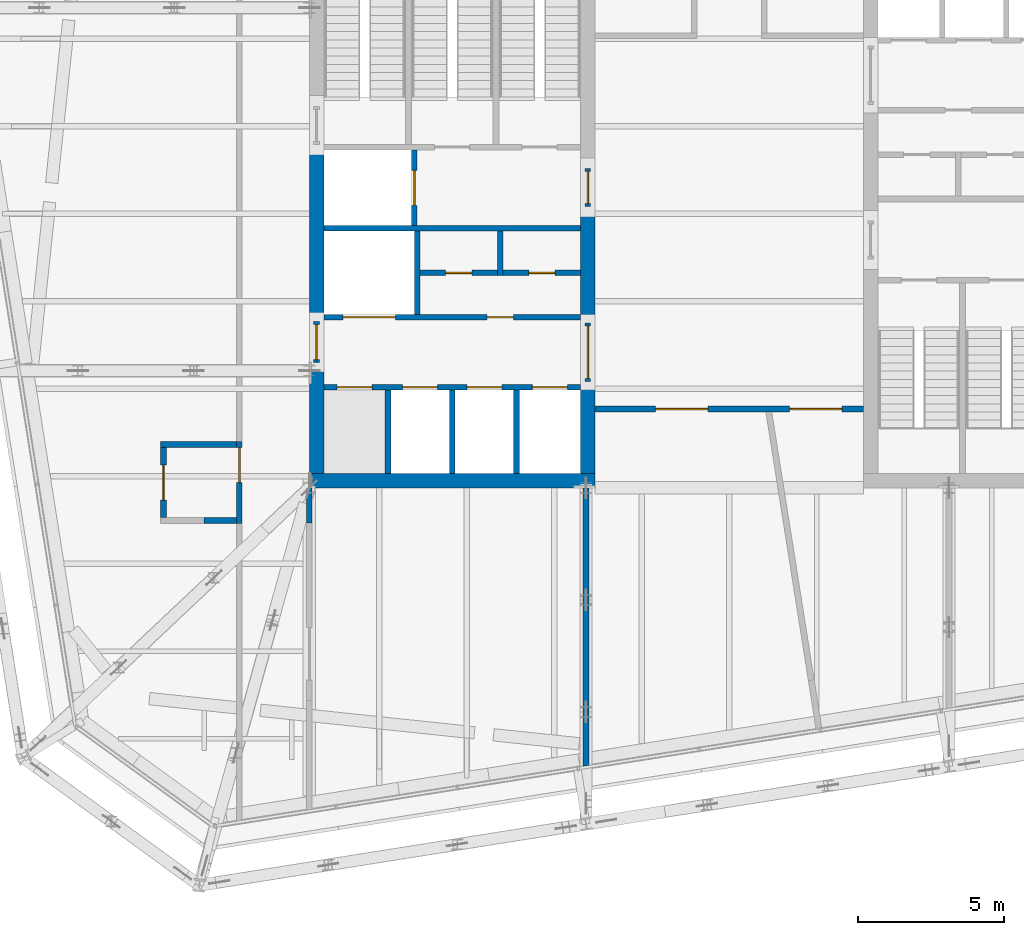
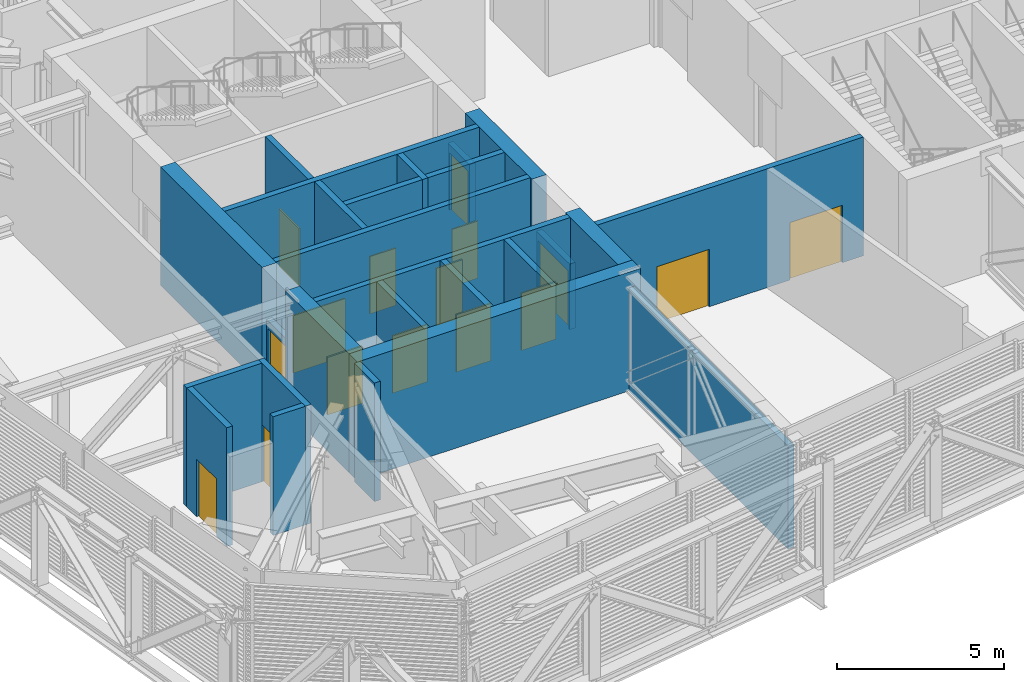
# One storey, part 21 of 32: 25 walls, 16 doors, 16 openings.
"""IFC4 building model written with IfcOpenShell, lengths in metres."""

from ifc_helpers import new_model, si_unit, direction, frame, frame_2d, origin, place, context, subcontext, project, spatial, rectangle, extrude, material, layer, layer_set, type_object, element, fill, save


model = new_model("IFC4")

# Units and contexts
model_context = context("Model", 3, precision=1e-05, world=origin(), true_north=direction((0.0, 1.0)))
body_context = subcontext(model_context, "Body", "Model", "MODEL_VIEW")
ifc_project = project(units=[si_unit("LENGTHUNIT", "METRE"), si_unit("AREAUNIT", "SQUARE_METRE"), si_unit("VOLUMEUNIT", "CUBIC_METRE"), si_unit("PLANEANGLEUNIT", "RADIAN"), si_unit("MASSUNIT", "GRAM", prefix="KILO")], contexts=[model_context])

# Site, building, storey
site_placement = place(None, origin())
site = spatial("IfcSite", under=ifc_project, at=site_placement, CompositionType="ELEMENT")
building_placement = place(site_placement, origin())
building = spatial("IfcBuilding", under=site, at=building_placement, Name="Millrace Tower", CompositionType="ELEMENT")
storey_placement = place(building_placement, frame((0.0, 0.0, 266.89990234375)))
storey = spatial("IfcBuildingStorey", under=building, at=storey_placement, Name="L61", CompositionType="ELEMENT", Elevation=266.89990234375)

# Walls
ifc_material_1 = material(Name="Concrete C60", Category="concrete")
ifc_layer_1 = layer(ifc_material_1, 0.5)
ifc_layer_set_1 = layer_set([ifc_layer_1], Name="Concrete C60")
wall_type_1 = type_object("IfcWallType", Name="Core wall 500 Concrete C60", PredefinedType="SHEAR", material=ifc_layer_set_1)
wall_1_placement = place(storey_placement, frame((-14.39990234375, -9.14990234375, 0.0), z_axis=(0.0, 0.0, 1.0), x_axis=(1.0, 0.0, 0.0)))
element("IfcWall", 1, at=wall_1_placement, inside=storey, type_object=wall_type_1, Name="Core wall W L61", PredefinedType="SHEAR", context=body_context, shape_type="SweptSolid", body=[
    extrude(rectangle(XDim=9.7998046875, YDim=0.5, at=frame_2d((4.89990234375, 0.0))), origin(), (0.0, 0.0, 1.0), 4.340087890625),
])
wall_2_placement = place(storey_placement, frame((-14.14990234375, -8.89990234375, 0.0), z_axis=(0.0, 0.0, 1.0), x_axis=(0.0, 1.0, 0.0)))
element("IfcWall", 2, at=wall_2_placement, inside=storey, type_object=wall_type_1, Name="Core wall W L61", PredefinedType="SHEAR", context=body_context, shape_type="SweptSolid", body=[
    extrude(rectangle(XDim=3.7998046875, YDim=0.5, at=frame_2d((1.89990234375, 0.0))), origin(), (0.0, 0.0, 1.0), 4.340087890625),
])
wall_3_placement = place(storey_placement, frame((-14.14990234375, -3.699951171875, 0.0), z_axis=(0.0, 0.0, 1.0), x_axis=(0.0, 1.0, 0.0)))
element("IfcWall", 3, at=wall_3_placement, inside=storey, type_object=wall_type_1, Name="Core wall W L61", PredefinedType="SHEAR", context=body_context, shape_type="SweptSolid", body=[
    extrude(rectangle(XDim=6.079833984375, YDim=0.5, at=frame_2d((3.0400390625, 0.0))), origin(), (0.0, 0.0, 1.0), 4.340087890625),
])
wall_4_placement = place(storey_placement, frame((-4.85009765625, -8.89990234375, 0.0), z_axis=(0.0, 0.0, 1.0), x_axis=(0.0, 1.0, 0.0)))
element("IfcWall", 4, at=wall_4_placement, inside=storey, type_object=wall_type_1, Name="Core wall W L61", PredefinedType="SHEAR", context=body_context, shape_type="SweptSolid", body=[
    extrude(rectangle(XDim=3.14990234375, YDim=0.5, at=frame_2d((1.574951171875, 0.0))), origin(), (0.0, 0.0, 1.0), 4.340087890625),
])
wall_5_placement = place(storey_placement, frame((-4.85009765625, -3.75, 0.0), z_axis=(0.0, 0.0, 1.0), x_axis=(0.0, 1.0, 0.0)))
element("IfcWall", 5, at=wall_5_placement, inside=storey, type_object=wall_type_1, Name="Core wall W L61", PredefinedType="SHEAR", context=body_context, shape_type="SweptSolid", body=[
    extrude(rectangle(XDim=4.0, YDim=0.5, at=frame_2d((2.0, 0.0))), origin(), (0.0, 0.0, 1.0), 4.340087890625),
])

# Wall, openings, doors
ifc_material_2 = material(Name="Masonry partition, fire-rated", Category="masonry")
ifc_layer_2 = layer(ifc_material_2, 0.199951171875)
ifc_layer_set_2 = layer_set([ifc_layer_2], Name="Masonry partition, fire-rated")
wall_type_2 = type_object("IfcWallType", Name="Corridor wall 200", PredefinedType="PARTITIONING", material=ifc_layer_set_2)
wall_6_placement = place(storey_placement, frame((-4.60009765625, -6.699951171875, 0.0), z_axis=(0.0, 0.0, 1.0), x_axis=(1.0, 0.0, 0.0)))
wall_6 = element("IfcWall", 6, at=wall_6_placement, inside=storey, type_object=wall_type_2, Name="Corridor wall L61", PredefinedType="PARTITIONING", context=body_context, shape_type="SweptSolid", body=[
    extrude(rectangle(XDim=9.2001953125, YDim=0.199951171875, at=frame_2d((4.60009765625, 0.0))), origin(), (0.0, 0.0, 1.0), 4.340087890625),
])
opening_1_placement = place(wall_6_placement, frame((2.070068359375, 0.0, 0.0)))
opening_1 = element("IfcOpeningElement", 7, at=opening_1_placement, cuts=wall_6, Name="Opening 61-P014", PredefinedType="OPENING", context=body_context, shape_type="SweptSolid", body=[
    extrude(rectangle(XDim=1.800048828125, YDim=2.10009765625, at=frame_2d((0.89990234375, 1.050048828125))), frame((0.0, 0.10986328125, 0.0), z_axis=(0.0, -1.0, 0.0), x_axis=(1.0, 0.0, 0.0)), (0.0, 0.0, 1.0), 0.219970703125),
])
opening_2_placement = place(wall_6_placement, frame((6.669921875, 0.0, 0.0)))
opening_2 = element("IfcOpeningElement", 8, at=opening_2_placement, cuts=wall_6, Name="Opening 61-P015", PredefinedType="OPENING", context=body_context, shape_type="SweptSolid", body=[
    extrude(rectangle(XDim=1.800048828125, YDim=2.10009765625, at=frame_2d((0.89990234375, 1.050048828125))), frame((0.0, 0.10986328125, 0.0), z_axis=(0.0, -1.0, 0.0), x_axis=(1.0, 0.0, 0.0)), (0.0, 0.0, 1.0), 0.219970703125),
])
ifc_material_3 = material(Name="Steel door set, fire-rated", Category="steel")
door_type_1 = type_object("IfcDoorType", Name="Plant room door 1800 x 2100", OperationType="DOUBLE_DOOR_SINGLE_SWING", PredefinedType="DOOR", material=ifc_material_3)
door_1_placement = place(opening_1_placement, frame((1.800048828125, 0.0, 0.0), z_axis=(0.0, 0.0, 1.0), x_axis=(-1.0, 0.0, 0.0)))
door_1 = element("IfcDoor", 9, at=door_1_placement, inside=storey, type_object=door_type_1, Name="Door 61-P014", OperationType="DOUBLE_DOOR_SINGLE_SWING", OverallHeight=2.10009765625, OverallWidth=1.800048828125, PredefinedType="DOOR", context=body_context, shape_type="SweptSolid", body=[
    extrude(rectangle(XDim=1.800048828125, YDim=2.10009765625, at=frame_2d((0.89990234375, 1.050048828125))), frame((0.0, 0.02490234375, 0.0), z_axis=(0.0, -1.0, 0.0), x_axis=(1.0, 0.0, 0.0)), (0.0, 0.0, 1.0), 0.050048828125),
])
fill(opening_1, door_1)
door_2_placement = place(opening_2_placement, frame((1.800048828125, 0.0, 0.0), z_axis=(0.0, 0.0, 1.0), x_axis=(-1.0, 0.0, 0.0)))
door_2 = element("IfcDoor", 10, at=door_2_placement, inside=storey, type_object=door_type_1, Name="Door 61-P015", OperationType="DOUBLE_DOOR_SINGLE_SWING", OverallHeight=2.10009765625, OverallWidth=1.800048828125, PredefinedType="DOOR", context=body_context, shape_type="SweptSolid", body=[
    extrude(rectangle(XDim=1.800048828125, YDim=2.10009765625, at=frame_2d((0.89990234375, 1.050048828125))), frame((0.0, 0.02490234375, 0.0), z_axis=(0.0, -1.0, 0.0), x_axis=(1.0, 0.0, 0.0)), (0.0, 0.0, 1.0), 0.050048828125),
])
fill(opening_2, door_2)

# Walls
wall_7_placement = place(storey_placement, frame((-4.91162109375, -18.93310546875, 0.0), z_axis=(0.0, 0.0, 1.0), x_axis=(0.0, 1.0, 0.0)))
element("IfcWall", 11, at=wall_7_placement, inside=storey, type_object=wall_type_2, Name="Corridor wall L61", PredefinedType="PARTITIONING", context=body_context, shape_type="SweptSolid", body=[
    extrude(rectangle(XDim=9.533203125, YDim=0.199951171875, at=frame_2d((4.7666015625, 0.0))), origin(), (0.0, 0.0, 1.0), 3.76513671875),
])
wall_8_placement = place(storey_placement, frame((-14.39990234375, -10.6025390625, 0.0), z_axis=(0.0, 0.0, 1.0), x_axis=(0.0, 1.0, 0.0)))
element("IfcWall", 12, at=wall_8_placement, inside=storey, type_object=wall_type_2, Name="Corridor wall L61", PredefinedType="PARTITIONING", context=body_context, shape_type="SweptSolid", body=[
    extrude(rectangle(XDim=1.20263671875, YDim=0.199951171875, at=frame_2d((0.601318359375, 0.0))), origin(), (0.0, 0.0, 1.0), 4.340087890625),
])

# Wall, opening, door
wall_9_placement = place(storey_placement, frame((-16.800048828125, -10.615966796875, 0.0), z_axis=(0.0, 0.0, 1.0), x_axis=(0.0, 1.0, 0.0)))
wall_9 = element("IfcWall", 13, at=wall_9_placement, inside=storey, type_object=wall_type_2, Name="Corridor wall L61", PredefinedType="PARTITIONING", context=body_context, shape_type="SweptSolid", body=[
    extrude(rectangle(XDim=2.800048828125, YDim=0.199951171875, at=frame_2d((1.39990234375, 0.0))), origin(), (0.0, 0.0, 1.0), 4.340087890625),
])
opening_3_placement = place(wall_9_placement, frame((1.39990234375, 0.0, 0.0)))
opening_3 = element("IfcOpeningElement", 14, at=opening_3_placement, cuts=wall_9, Name="Opening 61-P004", PredefinedType="OPENING", context=body_context, shape_type="SweptSolid", body=[
    extrude(rectangle(XDim=1.199951171875, YDim=2.10009765625, at=frame_2d((0.60009765625, 1.050048828125))), frame((0.0, 0.10986328125, 0.0), z_axis=(0.0, -1.0, 0.0), x_axis=(1.0, 0.0, 0.0)), (0.0, 0.0, 1.0), 0.219970703125),
])
ifc_material_4 = material(Name="Steel door set, fire-rated", Category="steel")
door_type_2 = type_object("IfcDoorType", Name="Corridor door 1200 x 2100", OperationType="SINGLE_SWING_LEFT", PredefinedType="DOOR", material=ifc_material_4)
door_3_placement = place(opening_3_placement, origin())
door_3 = element("IfcDoor", 15, at=door_3_placement, inside=storey, type_object=door_type_2, Name="Door 61-P004", OperationType="SINGLE_SWING_RIGHT", OverallHeight=2.10009765625, OverallWidth=1.199951171875, PredefinedType="DOOR", context=body_context, shape_type="SweptSolid", body=[
    extrude(rectangle(XDim=1.199951171875, YDim=2.10009765625, at=frame_2d((0.60009765625, 1.050048828125))), frame((0.0, 0.02490234375, 0.0), z_axis=(0.0, -1.0, 0.0), x_axis=(1.0, 0.0, 0.0)), (0.0, 0.0, 1.0), 0.050048828125),
])
fill(opening_3, door_3)

# Wall, openings, doors
ifc_material_5 = material(Name="Masonry partition, fire-rated", Category="masonry")
ifc_layer_3 = layer(ifc_material_5, 0.199951171875)
ifc_layer_set_3 = layer_set([ifc_layer_3], Name="Masonry partition, fire-rated")
wall_type_3 = type_object("IfcWallType", Name="Lift shaft wall 200", PredefinedType="PARTITIONING", material=ifc_layer_set_3)
wall_10_placement = place(storey_placement, frame((-13.89990234375, -5.949951171875, 0.0), z_axis=(0.0, 0.0, 1.0), x_axis=(1.0, 0.0, 0.0)))
wall_10 = element("IfcWall", 16, at=wall_10_placement, inside=storey, type_object=wall_type_3, Name="Lift shaft wall W L61", PredefinedType="PARTITIONING", context=body_context, shape_type="SweptSolid", body=[
    extrude(rectangle(XDim=8.7998046875, YDim=0.199951171875, at=frame_2d((4.39990234375, 0.0))), origin(), (0.0, 0.0, 1.0), 4.340087890625),
])
opening_4_placement = place(wall_10_placement, frame((0.449951171875, 0.0, 0.0)))
opening_4 = element("IfcOpeningElement", 17, at=opening_4_placement, cuts=wall_10, Name="Opening 61-LD01", PredefinedType="OPENING", context=body_context, shape_type="SweptSolid", body=[
    extrude(rectangle(XDim=1.199951171875, YDim=2.10009765625, at=frame_2d((0.60009765625, 1.050048828125))), frame((0.0, 0.10986328125, 0.0), z_axis=(0.0, -1.0, 0.0), x_axis=(1.0, 0.0, 0.0)), (0.0, 0.0, 1.0), 0.219970703125),
])
opening_5_placement = place(wall_10_placement, frame((2.699951171875, 0.0, 0.0)))
opening_5 = element("IfcOpeningElement", 18, at=opening_5_placement, cuts=wall_10, Name="Opening 61-LD02", PredefinedType="OPENING", context=body_context, shape_type="SweptSolid", body=[
    extrude(rectangle(XDim=1.199951171875, YDim=2.10009765625, at=frame_2d((0.60009765625, 1.050048828125))), frame((0.0, 0.10986328125, 0.0), z_axis=(0.0, -1.0, 0.0), x_axis=(1.0, 0.0, 0.0)), (0.0, 0.0, 1.0), 0.219970703125),
])
opening_6_placement = place(wall_10_placement, frame((4.89990234375, 0.0, 0.0)))
opening_6 = element("IfcOpeningElement", 19, at=opening_6_placement, cuts=wall_10, Name="Opening 61-LD03", PredefinedType="OPENING", context=body_context, shape_type="SweptSolid", body=[
    extrude(rectangle(XDim=1.199951171875, YDim=2.10009765625, at=frame_2d((0.60009765625, 1.050048828125))), frame((0.0, 0.10986328125, 0.0), z_axis=(0.0, -1.0, 0.0), x_axis=(1.0, 0.0, 0.0)), (0.0, 0.0, 1.0), 0.219970703125),
])
opening_7_placement = place(wall_10_placement, frame((7.14990234375, 0.0, 0.0)))
opening_7 = element("IfcOpeningElement", 20, at=opening_7_placement, cuts=wall_10, Name="Opening 61-LD04", PredefinedType="OPENING", context=body_context, shape_type="SweptSolid", body=[
    extrude(rectangle(XDim=1.199951171875, YDim=2.10009765625, at=frame_2d((0.60009765625, 1.050048828125))), frame((0.0, 0.10986328125, 0.0), z_axis=(0.0, -1.0, 0.0), x_axis=(1.0, 0.0, 0.0)), (0.0, 0.0, 1.0), 0.219970703125),
])
ifc_material_6 = material(Name="Stainless steel, fire-rated", Category="steel")
door_type_3 = type_object("IfcDoorType", Name="Lift landing door 1200 x 2100", OperationType="DOUBLE_DOOR_SLIDING", PredefinedType="DOOR", material=ifc_material_6)
door_4_placement = place(opening_4_placement, origin())
door_4 = element("IfcDoor", 21, at=door_4_placement, inside=storey, type_object=door_type_3, Name="Lift landing door LF1 L61", OperationType="DOUBLE_DOOR_SLIDING", OverallHeight=2.10009765625, OverallWidth=1.199951171875, PredefinedType="DOOR", context=body_context, shape_type="SweptSolid", body=[
    extrude(rectangle(XDim=1.199951171875, YDim=2.10009765625, at=frame_2d((0.60009765625, 1.050048828125))), frame((0.0, 0.02490234375, 0.0), z_axis=(0.0, -1.0, 0.0), x_axis=(1.0, 0.0, 0.0)), (0.0, 0.0, 1.0), 0.050048828125),
])
fill(opening_4, door_4)
door_5_placement = place(opening_5_placement, origin())
door_5 = element("IfcDoor", 22, at=door_5_placement, inside=storey, type_object=door_type_3, Name="Lift landing door LF2 L61", OperationType="DOUBLE_DOOR_SLIDING", OverallHeight=2.10009765625, OverallWidth=1.199951171875, PredefinedType="DOOR", context=body_context, shape_type="SweptSolid", body=[
    extrude(rectangle(XDim=1.199951171875, YDim=2.10009765625, at=frame_2d((0.60009765625, 1.050048828125))), frame((0.0, 0.02490234375, 0.0), z_axis=(0.0, -1.0, 0.0), x_axis=(1.0, 0.0, 0.0)), (0.0, 0.0, 1.0), 0.050048828125),
])
fill(opening_5, door_5)
door_6_placement = place(opening_6_placement, origin())
door_6 = element("IfcDoor", 23, at=door_6_placement, inside=storey, type_object=door_type_3, Name="Lift landing door LF3 L61", OperationType="DOUBLE_DOOR_SLIDING", OverallHeight=2.10009765625, OverallWidth=1.199951171875, PredefinedType="DOOR", context=body_context, shape_type="SweptSolid", body=[
    extrude(rectangle(XDim=1.199951171875, YDim=2.10009765625, at=frame_2d((0.60009765625, 1.050048828125))), frame((0.0, 0.02490234375, 0.0), z_axis=(0.0, -1.0, 0.0), x_axis=(1.0, 0.0, 0.0)), (0.0, 0.0, 1.0), 0.050048828125),
])
fill(opening_6, door_6)
door_7_placement = place(opening_7_placement, origin())
door_7 = element("IfcDoor", 24, at=door_7_placement, inside=storey, type_object=door_type_3, Name="Lift landing door LF4 L61", OperationType="DOUBLE_DOOR_SLIDING", OverallHeight=2.10009765625, OverallWidth=1.199951171875, PredefinedType="DOOR", context=body_context, shape_type="SweptSolid", body=[
    extrude(rectangle(XDim=1.199951171875, YDim=2.10009765625, at=frame_2d((0.60009765625, 1.050048828125))), frame((0.0, 0.02490234375, 0.0), z_axis=(0.0, -1.0, 0.0), x_axis=(1.0, 0.0, 0.0)), (0.0, 0.0, 1.0), 0.050048828125),
])
fill(opening_7, door_7)

wall_11_placement = place(storey_placement, frame((-13.89990234375, -3.550048828125, 0.0), z_axis=(0.0, 0.0, 1.0), x_axis=(1.0, 0.0, 0.0)))
wall_11 = element("IfcWall", 25, at=wall_11_placement, inside=storey, type_object=wall_type_3, Name="Lift shaft wall W L61", PredefinedType="PARTITIONING", context=body_context, shape_type="SweptSolid", body=[
    extrude(rectangle(XDim=8.7998046875, YDim=0.199951171875, at=frame_2d((4.39990234375, 0.0))), origin(), (0.0, 0.0, 1.0), 4.340087890625),
])
opening_8_placement = place(wall_11_placement, frame((0.64990234375, 0.0, 0.0)))
opening_8 = element("IfcOpeningElement", 26, at=opening_8_placement, cuts=wall_11, Name="Opening 61-LD05", PredefinedType="OPENING", context=body_context, shape_type="SweptSolid", body=[
    extrude(rectangle(XDim=1.800048828125, YDim=2.10009765625, at=frame_2d((0.89990234375, 1.050048828125))), frame((0.0, 0.10986328125, 0.0), z_axis=(0.0, -1.0, 0.0), x_axis=(1.0, 0.0, 0.0)), (0.0, 0.0, 1.0), 0.219970703125),
])
opening_9_placement = place(wall_11_placement, frame((5.60009765625, 0.0, 0.0)))
opening_9 = element("IfcOpeningElement", 27, at=opening_9_placement, cuts=wall_11, Name="Opening 61-C005", PredefinedType="OPENING", context=body_context, shape_type="SweptSolid", body=[
    extrude(rectangle(XDim=0.89990234375, YDim=2.10009765625, at=frame_2d((0.449951171875, 1.050048828125))), frame((0.0, 0.10986328125, 0.0), z_axis=(0.0, -1.0, 0.0), x_axis=(1.0, 0.0, 0.0)), (0.0, 0.0, 1.0), 0.219970703125),
])
ifc_material_7 = material(Name="Stainless steel, fire-rated", Category="steel")
door_type_4 = type_object("IfcDoorType", Name="Lift landing door 1800 x 2100", OperationType="DOUBLE_DOOR_SLIDING", PredefinedType="DOOR", material=ifc_material_7)
door_8_placement = place(opening_8_placement, origin())
door_8 = element("IfcDoor", 28, at=door_8_placement, inside=storey, type_object=door_type_4, Name="Lift landing door LF5 L61", OperationType="DOUBLE_DOOR_SLIDING", OverallHeight=2.10009765625, OverallWidth=1.800048828125, PredefinedType="DOOR", context=body_context, shape_type="SweptSolid", body=[
    extrude(rectangle(XDim=1.800048828125, YDim=2.10009765625, at=frame_2d((0.89990234375, 1.050048828125))), frame((0.0, 0.02490234375, 0.0), z_axis=(0.0, -1.0, 0.0), x_axis=(1.0, 0.0, 0.0)), (0.0, 0.0, 1.0), 0.050048828125),
])
fill(opening_8, door_8)
ifc_material_8 = material(Name="Steel door, fire-rated", Category="steel")
door_type_5 = type_object("IfcDoorType", Name="Service room door 900 x 2100", OperationType="SINGLE_SWING_LEFT", PredefinedType="DOOR", material=ifc_material_8)
door_9_placement = place(opening_9_placement, frame((0.89990234375, 0.0, 0.0), z_axis=(0.0, 0.0, 1.0), x_axis=(-1.0, 0.0, 0.0)))
door_9 = element("IfcDoor", 29, at=door_9_placement, inside=storey, type_object=door_type_5, Name="Service room door 61-C005", OperationType="SINGLE_SWING_LEFT", OverallHeight=2.10009765625, OverallWidth=0.89990234375, PredefinedType="DOOR", context=body_context, shape_type="SweptSolid", body=[
    extrude(rectangle(XDim=0.89990234375, YDim=2.10009765625, at=frame_2d((0.449951171875, 1.050048828125))), frame((0.0, 0.02490234375, 0.0), z_axis=(0.0, -1.0, 0.0), x_axis=(1.0, 0.0, 0.0)), (0.0, 0.0, 1.0), 0.050048828125),
])
fill(opening_9, door_9)

# Wall
wall_12_placement = place(storey_placement, frame((-13.89990234375, -0.5, 0.0), z_axis=(0.0, 0.0, 1.0), x_axis=(1.0, 0.0, 0.0)))
element("IfcWall", 30, at=wall_12_placement, inside=storey, type_object=wall_type_3, Name="Lift shaft wall W L61", PredefinedType="PARTITIONING", context=body_context, shape_type="SweptSolid", body=[
    extrude(rectangle(XDim=8.7998046875, YDim=0.199951171875, at=frame_2d((4.39990234375, 0.0))), origin(), (0.0, 0.0, 1.0), 4.340087890625),
])

# Wall, opening, door
wall_13_placement = place(storey_placement, frame((-10.800048828125, -0.39990234375, 0.0), z_axis=(0.0, 0.0, 1.0), x_axis=(0.0, 1.0, 0.0)))
wall_13 = element("IfcWall", 31, at=wall_13_placement, inside=storey, type_object=wall_type_3, Name="Lift shaft wall W L61", PredefinedType="PARTITIONING", context=body_context, shape_type="SweptSolid", body=[
    extrude(rectangle(XDim=2.579833984375, YDim=0.199951171875, at=frame_2d((1.2900390625, 0.0))), origin(), (0.0, 0.0, 1.0), 4.340087890625),
])
opening_10_placement = place(wall_13_placement, frame((0.68994140625, 0.0, 0.0)))
opening_10 = element("IfcOpeningElement", 32, at=opening_10_placement, cuts=wall_13, Name="Opening 61-LD08", PredefinedType="OPENING", context=body_context, shape_type="SweptSolid", body=[
    extrude(rectangle(XDim=1.199951171875, YDim=2.10009765625, at=frame_2d((0.60009765625, 1.050048828125))), frame((0.0, 0.10986328125, 0.0), z_axis=(0.0, -1.0, 0.0), x_axis=(1.0, 0.0, 0.0)), (0.0, 0.0, 1.0), 0.219970703125),
])
door_10_placement = place(opening_10_placement, origin())
door_10 = element("IfcDoor", 33, at=door_10_placement, inside=storey, type_object=door_type_3, Name="Lift landing door LF8 L61", OperationType="DOUBLE_DOOR_SLIDING", OverallHeight=2.10009765625, OverallWidth=1.199951171875, PredefinedType="DOOR", context=body_context, shape_type="SweptSolid", body=[
    extrude(rectangle(XDim=1.199951171875, YDim=2.10009765625, at=frame_2d((0.60009765625, 1.050048828125))), frame((0.0, 0.02490234375, 0.0), z_axis=(0.0, -1.0, 0.0), x_axis=(1.0, 0.0, 0.0)), (0.0, 0.0, 1.0), 0.050048828125),
])
fill(opening_10, door_10)

# Walls
for number, where, z_axis, x_axis, name in (
    (34, (-11.699951171875, -8.89990234375, 0.0), (0.0, 0.0, 1.0), (0.0, 1.0, 0.0), "Lift shaft wall W L61"),
    (35, (-9.5, -8.89990234375, 0.0), (0.0, 0.0, 1.0), (0.0, 1.0, 0.0), "Lift shaft wall W L61"),
    (36, (-7.300048828125, -8.89990234375, 0.0), (0.0, 0.0, 1.0), (0.0, 1.0, 0.0), "Lift shaft wall W L61"),
    (37, (-10.699951171875, -3.449951171875, 0.0), (0.0, 0.0, 1.0), (0.0, 1.0, 0.0), "Lift shaft wall W L61"),
):
    element("IfcWall", number, at=place(storey_placement, frame(where, z_axis=z_axis, x_axis=x_axis)), inside=storey, type_object=wall_type_3, Name=name, PredefinedType="PARTITIONING", context=body_context, shape_type="SweptSolid", body=[
        extrude(rectangle(XDim=2.849853515625, YDim=0.199951171875, at=frame_2d((1.4248046875, 0.0))), origin(), (0.0, 0.0, 1.0), 4.340087890625),
    ])

# Wall, opening, door
ifc_material_9 = material(Name="Masonry partition, fire-rated", Category="masonry")
ifc_layer_4 = layer(ifc_material_9, 0.199951171875)
ifc_layer_set_4 = layer_set([ifc_layer_4], Name="Masonry partition, fire-rated")
wall_type_4 = type_object("IfcWallType", Name="Lobby wall 200", PredefinedType="PARTITIONING", material=ifc_layer_set_4)
wall_14_placement = place(storey_placement, frame((-14.14990234375, -5.10009765625, 0.0), z_axis=(0.0, 0.0, 1.0), x_axis=(0.0, 1.0, 0.0)))
wall_14 = element("IfcWall", 38, at=wall_14_placement, inside=storey, type_object=wall_type_4, Name="Lobby wall W L61", PredefinedType="PARTITIONING", context=body_context, shape_type="SweptSolid", body=[
    extrude(rectangle(XDim=1.400146484375, YDim=0.199951171875, at=frame_2d((0.7001953125, 0.0))), origin(), (0.0, 0.0, 1.0), 2.400146484375),
])
opening_11_placement = place(wall_14_placement, frame((0.10009765625, 0.0, 0.0)))
opening_11 = element("IfcOpeningElement", 39, at=opening_11_placement, cuts=wall_14, Name="Opening 61-C001", PredefinedType="OPENING", context=body_context, shape_type="SweptSolid", body=[
    extrude(rectangle(XDim=1.199951171875, YDim=2.10009765625, at=frame_2d((0.60009765625, 1.050048828125))), frame((0.0, 0.10986328125, 0.0), z_axis=(0.0, -1.0, 0.0), x_axis=(1.0, 0.0, 0.0)), (0.0, 0.0, 1.0), 0.219970703125),
])
ifc_material_10 = material(Name="Steel door, fire-rated", Category="steel")
door_type_6 = type_object("IfcDoorType", Name="Lobby door 1200 x 2100", OperationType="SINGLE_SWING_LEFT", PredefinedType="DOOR", material=ifc_material_10)
door_11_placement = place(opening_11_placement, origin())
door_11 = element("IfcDoor", 40, at=door_11_placement, inside=storey, type_object=door_type_6, Name="Lobby door 61-C001", OperationType="SINGLE_SWING_RIGHT", OverallHeight=2.10009765625, OverallWidth=1.199951171875, PredefinedType="DOOR", context=body_context, shape_type="SweptSolid", body=[
    extrude(rectangle(XDim=1.199951171875, YDim=2.10009765625, at=frame_2d((0.60009765625, 1.050048828125))), frame((0.0, 0.02490234375, 0.0), z_axis=(0.0, -1.0, 0.0), x_axis=(1.0, 0.0, 0.0)), (0.0, 0.0, 1.0), 0.050048828125),
])
fill(opening_11, door_11)

wall_15_placement = place(storey_placement, frame((-4.85009765625, -5.75, 0.0), z_axis=(0.0, 0.0, 1.0), x_axis=(0.0, 1.0, 0.0)))
wall_15 = element("IfcWall", 41, at=wall_15_placement, inside=storey, type_object=wall_type_4, Name="Lobby wall W L61", PredefinedType="PARTITIONING", context=body_context, shape_type="SweptSolid", body=[
    extrude(rectangle(XDim=2.0, YDim=0.199951171875, at=frame_2d((1.0, 0.0))), origin(), (0.0, 0.0, 1.0), 2.400146484375),
])
opening_12_placement = place(wall_15_placement, frame((0.10009765625, 0.0, 0.0)))
opening_12 = element("IfcOpeningElement", 42, at=opening_12_placement, cuts=wall_15, Name="Opening 61-C003", PredefinedType="OPENING", context=body_context, shape_type="SweptSolid", body=[
    extrude(rectangle(XDim=1.800048828125, YDim=2.10009765625, at=frame_2d((0.89990234375, 1.050048828125))), frame((0.0, 0.10986328125, 0.0), z_axis=(0.0, -1.0, 0.0), x_axis=(1.0, 0.0, 0.0)), (0.0, 0.0, 1.0), 0.219970703125),
])
ifc_material_11 = material(Name="Steel door, fire-rated", Category="steel")
door_type_7 = type_object("IfcDoorType", Name="Lobby door 1800 x 2100", OperationType="DOUBLE_DOOR_SINGLE_SWING", PredefinedType="DOOR", material=ifc_material_11)
door_12_placement = place(opening_12_placement, frame((1.800048828125, 0.0, 0.0), z_axis=(0.0, 0.0, 1.0), x_axis=(-1.0, 0.0, 0.0)))
door_12 = element("IfcDoor", 43, at=door_12_placement, inside=storey, type_object=door_type_7, Name="Lobby door 61-C003", OperationType="DOUBLE_DOOR_SINGLE_SWING", OverallHeight=2.10009765625, OverallWidth=1.800048828125, PredefinedType="DOOR", context=body_context, shape_type="SweptSolid", body=[
    extrude(rectangle(XDim=1.800048828125, YDim=2.10009765625, at=frame_2d((0.89990234375, 1.050048828125))), frame((0.0, 0.02490234375, 0.0), z_axis=(0.0, -1.0, 0.0), x_axis=(1.0, 0.0, 0.0)), (0.0, 0.0, 1.0), 0.050048828125),
])
fill(opening_12, door_12)

wall_16_placement = place(storey_placement, frame((-4.85009765625, 0.25, 0.0), z_axis=(0.0, 0.0, 1.0), x_axis=(0.0, 1.0, 0.0)))
wall_16 = element("IfcWall", 44, at=wall_16_placement, inside=storey, type_object=wall_type_4, Name="Lobby wall W L61", PredefinedType="PARTITIONING", context=body_context, shape_type="SweptSolid", body=[
    extrude(rectangle(XDim=1.300048828125, YDim=0.199951171875, at=frame_2d((0.64990234375, 0.0))), origin(), (0.0, 0.0, 1.0), 2.400146484375),
])
opening_13_placement = place(wall_16_placement, frame((0.10009765625, 0.0, 0.0)))
opening_13 = element("IfcOpeningElement", 45, at=opening_13_placement, cuts=wall_16, Name="Opening 61-C004", PredefinedType="OPENING", context=body_context, shape_type="SweptSolid", body=[
    extrude(rectangle(XDim=1.10009765625, YDim=2.10009765625, at=frame_2d((0.550048828125, 1.050048828125))), frame((0.0, 0.10986328125, 0.0), z_axis=(0.0, -1.0, 0.0), x_axis=(1.0, 0.0, 0.0)), (0.0, 0.0, 1.0), 0.219970703125),
])
ifc_material_12 = material(Name="Steel door, fire-rated", Category="steel")
door_type_8 = type_object("IfcDoorType", Name="Lobby door 1100 x 2100", OperationType="SINGLE_SWING_LEFT", PredefinedType="DOOR", material=ifc_material_12)
door_13_placement = place(opening_13_placement, frame((1.10009765625, 0.0, 0.0), z_axis=(0.0, 0.0, 1.0), x_axis=(-1.0, 0.0, 0.0)))
door_13 = element("IfcDoor", 46, at=door_13_placement, inside=storey, type_object=door_type_8, Name="Lobby door 61-C004", OperationType="SINGLE_SWING_LEFT", OverallHeight=2.10009765625, OverallWidth=1.10009765625, PredefinedType="DOOR", context=body_context, shape_type="SweptSolid", body=[
    extrude(rectangle(XDim=1.10009765625, YDim=2.10009765625, at=frame_2d((0.550048828125, 1.050048828125))), frame((0.0, 0.02490234375, 0.0), z_axis=(0.0, -1.0, 0.0), x_axis=(1.0, 0.0, 0.0)), (0.0, 0.0, 1.0), 0.050048828125),
])
fill(opening_13, door_13)

# Walls
ifc_material_13 = material(Name="Masonry partition, fire-rated", Category="masonry")
ifc_layer_5 = layer(ifc_material_13, 0.199951171875)
ifc_layer_set_5 = layer_set([ifc_layer_5], Name="Masonry partition, fire-rated")
wall_type_5 = type_object("IfcWallType", Name="Refuge area wall 200", PredefinedType="PARTITIONING", material=ifc_layer_set_5)
wall_17_placement = place(storey_placement, frame((-18.00927734375, -10.51611328125, 0.0), z_axis=(0.0, 0.0, 1.0), x_axis=(1.0, 0.0, 0.0)))
element("IfcWall", 47, at=wall_17_placement, inside=storey, type_object=wall_type_5, Name="Refuge area wall L61", PredefinedType="PARTITIONING", context=body_context, shape_type="SweptSolid", body=[
    extrude(rectangle(XDim=1.109375, YDim=0.199951171875, at=frame_2d((0.5546875, 0.0))), origin(), (0.0, 0.0, 1.0), 4.340087890625),
])
wall_18_placement = place(storey_placement, frame((-19.5, -7.916015625, 0.0), z_axis=(0.0, 0.0, 1.0), x_axis=(1.0, 0.0, 0.0)))
element("IfcWall", 48, at=wall_18_placement, inside=storey, type_object=wall_type_5, Name="Refuge area wall L61", PredefinedType="PARTITIONING", context=body_context, shape_type="SweptSolid", body=[
    extrude(rectangle(XDim=2.60009765625, YDim=0.199951171875, at=frame_2d((1.300048828125, 0.0))), origin(), (0.0, 0.0, 1.0), 4.340087890625),
])

# Wall, opening, door
wall_19_placement = place(storey_placement, frame((-19.39990234375, -10.416015625, 0.0), z_axis=(0.0, 0.0, 1.0), x_axis=(0.0, 1.0, 0.0)))
wall_19 = element("IfcWall", 49, at=wall_19_placement, inside=storey, type_object=wall_type_5, Name="Refuge area wall L61", PredefinedType="PARTITIONING", context=body_context, shape_type="SweptSolid", body=[
    extrude(rectangle(XDim=2.39990234375, YDim=0.199951171875, at=frame_2d((1.199951171875, 0.0))), origin(), (0.0, 0.0, 1.0), 4.340087890625),
])
opening_14_placement = place(wall_19_placement, frame((0.60009765625, 0.0, 0.0)))
opening_14 = element("IfcOpeningElement", 50, at=opening_14_placement, cuts=wall_19, Name="Opening 61-P003", PredefinedType="OPENING", context=body_context, shape_type="SweptSolid", body=[
    extrude(rectangle(XDim=1.199951171875, YDim=2.10009765625, at=frame_2d((0.60009765625, 1.050048828125))), frame((0.0, 0.10986328125, 0.0), z_axis=(0.0, -1.0, 0.0), x_axis=(1.0, 0.0, 0.0)), (0.0, 0.0, 1.0), 0.219970703125),
])
ifc_material_14 = material(Name="Steel door set, fire-rated", Category="steel")
door_type_9 = type_object("IfcDoorType", Name="Refuge door 1200 x 2100", OperationType="SINGLE_SWING_LEFT", PredefinedType="DOOR", material=ifc_material_14)
door_14_placement = place(opening_14_placement, frame((1.199951171875, 0.0, 0.0), z_axis=(0.0, 0.0, 1.0), x_axis=(-1.0, 0.0, 0.0)))
door_14 = element("IfcDoor", 51, at=door_14_placement, inside=storey, type_object=door_type_9, Name="Door 61-P003", OperationType="SINGLE_SWING_LEFT", OverallHeight=2.10009765625, OverallWidth=1.199951171875, PredefinedType="DOOR", context=body_context, shape_type="SweptSolid", body=[
    extrude(rectangle(XDim=1.199951171875, YDim=2.10009765625, at=frame_2d((0.60009765625, 1.050048828125))), frame((0.0, 0.02490234375, 0.0), z_axis=(0.0, -1.0, 0.0), x_axis=(1.0, 0.0, 0.0)), (0.0, 0.0, 1.0), 0.050048828125),
])
fill(opening_14, door_14)

# Wall, openings, doors
ifc_material_15 = material(Name="Masonry partition, fire-rated", Category="masonry")
ifc_layer_6 = layer(ifc_material_15, 0.199951171875)
ifc_layer_set_6 = layer_set([ifc_layer_6], Name="Masonry partition, fire-rated")
wall_type_6 = type_object("IfcWallType", Name="Room partition 200", PredefinedType="PARTITIONING", material=ifc_layer_set_6)
wall_20_placement = place(storey_placement, frame((-10.60009765625, -2.02490234375, 0.0), z_axis=(0.0, 0.0, 1.0), x_axis=(1.0, 0.0, 0.0)))
wall_20 = element("IfcWall", 52, at=wall_20_placement, inside=storey, type_object=wall_type_6, Name="Room partition W L61", PredefinedType="PARTITIONING", context=body_context, shape_type="SweptSolid", body=[
    extrude(rectangle(XDim=5.5, YDim=0.199951171875, at=frame_2d((2.75, 0.0))), origin(), (0.0, 0.0, 1.0), 4.340087890625),
])
opening_15_placement = place(wall_20_placement, frame((0.875, 0.0, 0.0)))
opening_15 = element("IfcOpeningElement", 53, at=opening_15_placement, cuts=wall_20, Name="Opening 61-C006", PredefinedType="OPENING", context=body_context, shape_type="SweptSolid", body=[
    extrude(rectangle(XDim=0.89990234375, YDim=2.10009765625, at=frame_2d((0.449951171875, 1.050048828125))), frame((0.0, 0.10986328125, 0.0), z_axis=(0.0, -1.0, 0.0), x_axis=(1.0, 0.0, 0.0)), (0.0, 0.0, 1.0), 0.219970703125),
])
opening_16_placement = place(wall_20_placement, frame((3.72509765625, 0.0, 0.0)))
opening_16 = element("IfcOpeningElement", 54, at=opening_16_placement, cuts=wall_20, Name="Opening 61-C007", PredefinedType="OPENING", context=body_context, shape_type="SweptSolid", body=[
    extrude(rectangle(XDim=0.89990234375, YDim=2.10009765625, at=frame_2d((0.449951171875, 1.050048828125))), frame((0.0, 0.10986328125, 0.0), z_axis=(0.0, -1.0, 0.0), x_axis=(1.0, 0.0, 0.0)), (0.0, 0.0, 1.0), 0.219970703125),
])
door_15_placement = place(opening_15_placement, origin())
door_15 = element("IfcDoor", 55, at=door_15_placement, inside=storey, type_object=door_type_5, Name="Service room door 61-C006", OperationType="SINGLE_SWING_LEFT", OverallHeight=2.10009765625, OverallWidth=0.89990234375, PredefinedType="DOOR", context=body_context, shape_type="SweptSolid", body=[
    extrude(rectangle(XDim=0.89990234375, YDim=2.10009765625, at=frame_2d((0.449951171875, 1.050048828125))), frame((0.0, 0.02490234375, 0.0), z_axis=(0.0, -1.0, 0.0), x_axis=(1.0, 0.0, 0.0)), (0.0, 0.0, 1.0), 0.050048828125),
])
fill(opening_15, door_15)
door_16_placement = place(opening_16_placement, origin())
door_16 = element("IfcDoor", 56, at=door_16_placement, inside=storey, type_object=door_type_5, Name="Service room door 61-C007", OperationType="SINGLE_SWING_RIGHT", OverallHeight=2.10009765625, OverallWidth=0.89990234375, PredefinedType="DOOR", context=body_context, shape_type="SweptSolid", body=[
    extrude(rectangle(XDim=0.89990234375, YDim=2.10009765625, at=frame_2d((0.449951171875, 1.050048828125))), frame((0.0, 0.02490234375, 0.0), z_axis=(0.0, -1.0, 0.0), x_axis=(1.0, 0.0, 0.0)), (0.0, 0.0, 1.0), 0.050048828125),
])
fill(opening_16, door_16)

# Wall
wall_21_placement = place(storey_placement, frame((-7.85009765625, -2.125, 0.0), z_axis=(0.0, 0.0, 1.0), x_axis=(0.0, 1.0, 0.0)))
element("IfcWall", 57, at=wall_21_placement, inside=storey, type_object=wall_type_6, Name="Room partition W L61", PredefinedType="PARTITIONING", context=body_context, shape_type="SweptSolid", body=[
    extrude(rectangle(XDim=1.52490234375, YDim=0.199951171875, at=frame_2d((0.762451171875, 0.0))), origin(), (0.0, 0.0, 1.0), 4.340087890625),
])

save(model, "model.ifc")
